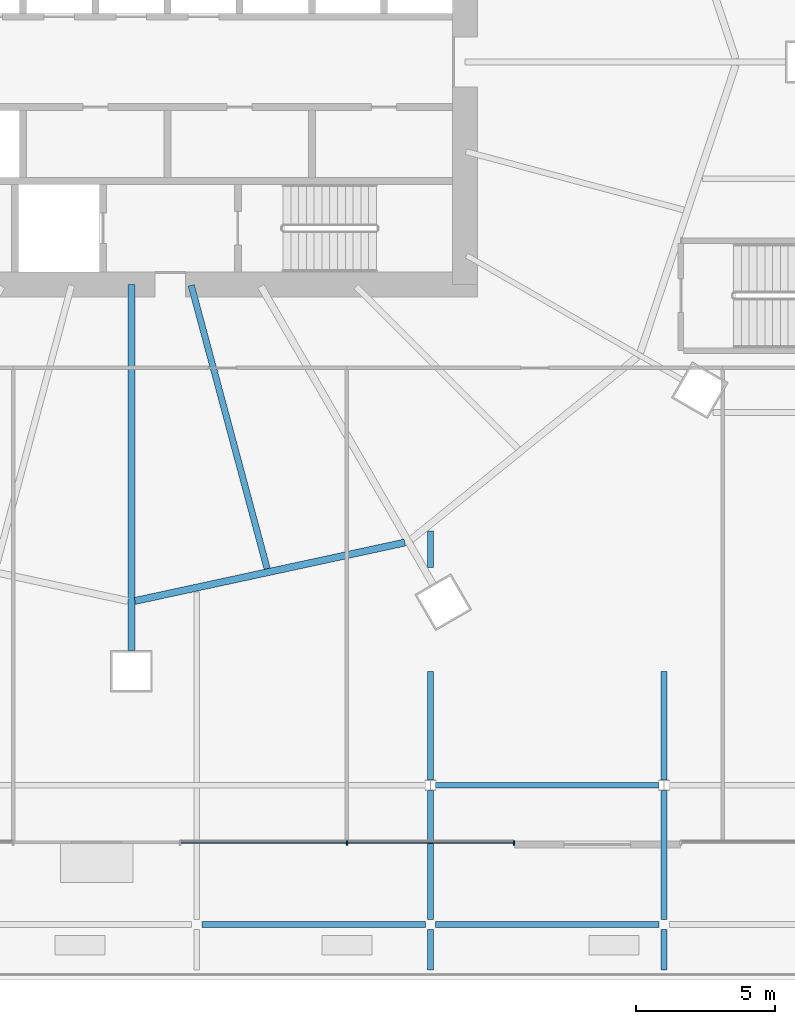
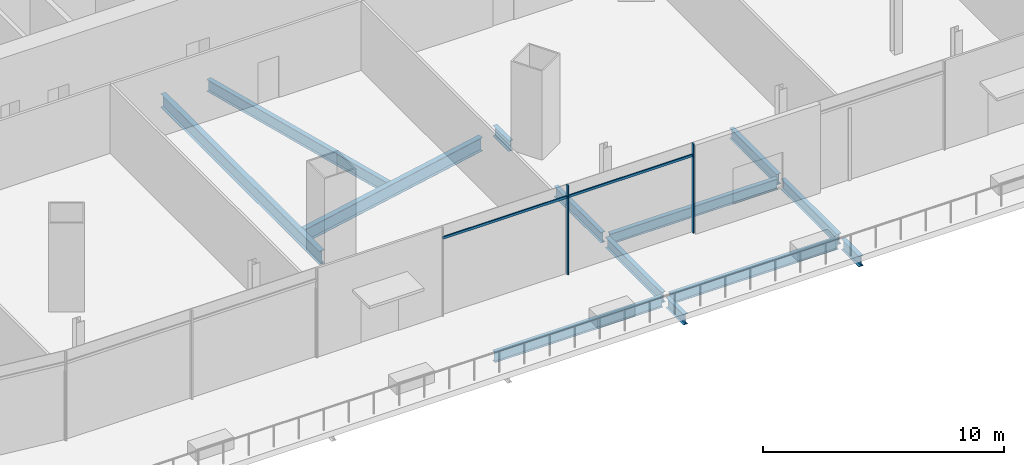
# One storey, part 12 of 52: 13 beams, 4 members, 1 element without a shape of its own.
"""IFC4 building model written with IfcOpenShell, lengths in metres."""

from ifc_helpers import new_model, si_unit, direction, frame, origin, origin_2d, place, context, subcontext, project, spatial, rectangle, i_section, extrude, material, material_profile, profile_set, type_object, element, aggregate, save


model = new_model("IFC4")

# Units and contexts
model_context = context("Model", 3, precision=1e-05, world=origin(), true_north=direction((0.0, 1.0)))
body_context = subcontext(model_context, "Body", "Model", "MODEL_VIEW")
ifc_project = project(units=[si_unit("LENGTHUNIT", "METRE"), si_unit("AREAUNIT", "SQUARE_METRE"), si_unit("VOLUMEUNIT", "CUBIC_METRE"), si_unit("PLANEANGLEUNIT", "RADIAN"), si_unit("MASSUNIT", "GRAM", prefix="KILO")], contexts=[model_context])

# Site, building, storey
site_placement = place(None, origin())
site = spatial("IfcSite", under=ifc_project, at=site_placement, CompositionType="ELEMENT")
building_placement = place(site_placement, origin())
building = spatial("IfcBuilding", under=site, at=building_placement, Name="Rimbun Link Towers", CompositionType="ELEMENT")
storey_placement = place(building_placement, frame((0.0, 0.0, 21.0)))
storey = spatial("IfcBuildingStorey", under=building, at=storey_placement, Name="L04", CompositionType="ELEMENT", Elevation=21.0)

# Curtain wall, members
ifc_material_1 = material(Name="Aluminium 6063-T6 and low-iron glass", Category="aluminium")
curtain_wall_type = type_object("IfcCurtainWallType", Name="CW3 podium shopfront", PredefinedType="NOTDEFINED", material=ifc_material_1)
curtain_wall_placement = place(storey_placement, origin())
curtain_wall = element("IfcCurtainWall", 1, at=curtain_wall_placement, inside=storey, type_object=curtain_wall_type, Name="CW3 L04 PD", PredefinedType="NOTDEFINED")
ifc_material_2 = material(Name="Aluminium 6063-T6", Category="aluminium")
ifc_material_profile_1 = material_profile(ifc_material_2, rectangle(XDim=0.14990234375, YDim=0.06005859375, at=origin_2d()), Name="MULLION 60X150")
ifc_profile_set_1 = profile_set([ifc_material_profile_1], Name="Aluminium 6063-T6")
member_type_1 = type_object("IfcMemberType", Name="CW3 mullion 60X150", PredefinedType="MULLION", material=ifc_profile_set_1)
member_1_placement = place(storey_placement, frame((-24.0, -28.074951171875, 0.0), z_axis=(0.0, 0.0, 1.0), x_axis=(0.0, -1.0, 0.0)))
member_1 = element("IfcMember", 2, at=member_1_placement, type_object=member_type_1, Name="CW3 mullion", PredefinedType="MULLION", context=body_context, shape_type="SweptSolid", body=[
    extrude(rectangle(XDim=0.14990234375, YDim=0.06005859375, at=origin_2d()), origin(), (0.0, 0.0, 1.0), 4.5),
])
member_2_placement = place(storey_placement, frame((-18.0, -28.074951171875, 0.0), z_axis=(0.0, 0.0, 1.0), x_axis=(0.0, -1.0, 0.0)))
member_2 = element("IfcMember", 3, at=member_2_placement, type_object=member_type_1, Name="CW3 mullion", PredefinedType="MULLION", context=body_context, shape_type="SweptSolid", body=[
    extrude(rectangle(XDim=0.14990234375, YDim=0.06005859375, at=origin_2d()), origin(), (0.0, 0.0, 1.0), 4.5),
])
ifc_material_3 = material(Name="Aluminium 6063-T6", Category="aluminium")
ifc_material_profile_2 = material_profile(ifc_material_3, rectangle(XDim=0.06005859375, YDim=0.1201171875, at=origin_2d()), Name="TRANSOM 60X120")
ifc_profile_set_2 = profile_set([ifc_material_profile_2], Name="Aluminium 6063-T6")
member_type_2 = type_object("IfcMemberType", Name="CW3 transom 60X120", PredefinedType="USERDEFINED", material=ifc_profile_set_2)
member_3_placement = place(storey_placement, frame((-24.030029296875, -28.053955078125, 3.89990234375), z_axis=(-1.0, 0.0, 0.0), x_axis=(0.0, -1.0, 0.0)))
member_3 = element("IfcMember", 4, at=member_3_placement, type_object=member_type_2, Name="CW3 transom", ObjectType="TRANSOM", PredefinedType="USERDEFINED", context=body_context, shape_type="SweptSolid", body=[
    extrude(rectangle(XDim=0.06005859375, YDim=0.1201171875, at=origin_2d()), origin(), (0.0, 0.0, 1.0), 5.93994140625),
])
member_4_placement = place(storey_placement, frame((-18.030029296875, -28.053955078125, 3.89990234375), z_axis=(-1.0, 0.0, 0.0), x_axis=(0.0, -1.0, 0.0)))
member_4 = element("IfcMember", 5, at=member_4_placement, type_object=member_type_2, Name="CW3 transom", ObjectType="TRANSOM", PredefinedType="USERDEFINED", context=body_context, shape_type="SweptSolid", body=[
    extrude(rectangle(XDim=0.06005859375, YDim=0.1201171875, at=origin_2d()), origin(), (0.0, 0.0, 1.0), 5.93994140625),
])
aggregate(curtain_wall, [member_1, member_2, member_3, member_4])

# Beams
ifc_material_4 = material(Name="Steel S355J2", Category="steel")
ifc_material_profile_3 = material_profile(ifc_material_4, i_section(OverallWidth=0.209228515625, OverallDepth=0.533203125, WebThickness=0.010009765625, FlangeThickness=0.015625, at=origin_2d()), Name="UB 533x210x92")
ifc_profile_set_3 = profile_set([ifc_material_profile_3], Name="Steel S355J2")
beam_type_1 = type_object("IfcBeamType", Name="UB 533x210x92", PredefinedType="BEAM", material=ifc_profile_set_3)
for number, where, z_axis, x_axis, name in (
    (6, (-29.214599609375, -31.0, -0.56640625), (1.0, 0.0, 0.0), (0.0, 1.0, 0.0), "Grid beam L04 -31.0"),
    (7, (-20.814697265625, -31.0, -0.56640625), (1.0, 0.0, 0.0), (0.0, 1.0, 0.0), "Grid beam L04 -31.0"),
    (8, (-20.814697265625, -26.0, -0.56640625), (1.0, 0.0, 0.0), (0.0, 1.0, 0.0), "Grid beam L04 -26.0"),
):
    element("IfcBeam", number, at=place(storey_placement, frame(where, z_axis=z_axis, x_axis=x_axis)), inside=storey, type_object=beam_type_1, Name=name, PredefinedType="BEAM", context=body_context, shape_type="SweptSolid", body=[
        extrude(i_section(OverallWidth=0.209228515625, OverallDepth=0.533203125, WebThickness=0.010009765625, FlangeThickness=0.015625, at=origin_2d()), origin(), (0.0, 0.0, 1.0), 8.029296875),
    ])
beam_1_placement = place(storey_placement, frame((-21.0, -32.649169921875, -0.56640625), z_axis=(0.0, 1.0, 0.0), x_axis=(-1.0, 0.0, 0.0)))
element("IfcBeam", 9, at=beam_1_placement, inside=storey, type_object=beam_type_1, Name="Grid beam L04 -21.0", PredefinedType="BEAM", context=body_context, shape_type="SweptSolid", body=[
    extrude(i_section(OverallWidth=0.209228515625, OverallDepth=0.533203125, WebThickness=0.010009765625, FlangeThickness=0.015625, at=origin_2d()), origin(), (0.0, 0.0, 1.0), 1.46826171875),
])
beam_2_placement = place(storey_placement, frame((-21.0, -30.819091796875, -0.56640625), z_axis=(0.0, 1.0, 0.0), x_axis=(-1.0, 0.0, 0.0)))
element("IfcBeam", 10, at=beam_2_placement, inside=storey, type_object=beam_type_1, Name="Grid beam L04 -21.0", PredefinedType="BEAM", context=body_context, shape_type="SweptSolid", body=[
    extrude(i_section(OverallWidth=0.209228515625, OverallDepth=0.533203125, WebThickness=0.010009765625, FlangeThickness=0.015625, at=origin_2d()), origin(), (0.0, 0.0, 1.0), 4.63818359375),
])
beam_3_placement = place(storey_placement, frame((-21.0, -25.819091796875, -0.56640625), z_axis=(0.0, 1.0, 0.0), x_axis=(-1.0, 0.0, 0.0)))
element("IfcBeam", 11, at=beam_3_placement, inside=storey, type_object=beam_type_1, Name="Grid beam L04 -21.0", PredefinedType="BEAM", context=body_context, shape_type="SweptSolid", body=[
    extrude(i_section(OverallWidth=0.209228515625, OverallDepth=0.533203125, WebThickness=0.010009765625, FlangeThickness=0.015625, at=origin_2d()), origin(), (0.0, 0.0, 1.0), 3.900146484375),
])
beam_4_placement = place(storey_placement, frame((-21.0, -18.18115234375, -0.56640625), z_axis=(0.0, 1.0, 0.0), x_axis=(-1.0, 0.0, 0.0)))
element("IfcBeam", 12, at=beam_4_placement, inside=storey, type_object=beam_type_1, Name="Grid beam L04 -21.0", PredefinedType="BEAM", context=body_context, shape_type="SweptSolid", body=[
    extrude(i_section(OverallWidth=0.209228515625, OverallDepth=0.533203125, WebThickness=0.010009765625, FlangeThickness=0.015625, at=origin_2d()), origin(), (0.0, 0.0, 1.0), 1.3232421875),
])
beam_5_placement = place(storey_placement, frame((-12.60009765625, -32.649169921875, -0.56640625), z_axis=(0.0, 1.0, 0.0), x_axis=(-1.0, 0.0, 0.0)))
element("IfcBeam", 13, at=beam_5_placement, inside=storey, type_object=beam_type_1, Name="Grid beam L04 -12.6", PredefinedType="BEAM", context=body_context, shape_type="SweptSolid", body=[
    extrude(i_section(OverallWidth=0.209228515625, OverallDepth=0.533203125, WebThickness=0.010009765625, FlangeThickness=0.015625, at=origin_2d()), origin(), (0.0, 0.0, 1.0), 1.46826171875),
])
beam_6_placement = place(storey_placement, frame((-12.60009765625, -30.819091796875, -0.56640625), z_axis=(0.0, 1.0, 0.0), x_axis=(-1.0, 0.0, 0.0)))
element("IfcBeam", 14, at=beam_6_placement, inside=storey, type_object=beam_type_1, Name="Grid beam L04 -12.6", PredefinedType="BEAM", context=body_context, shape_type="SweptSolid", body=[
    extrude(i_section(OverallWidth=0.209228515625, OverallDepth=0.533203125, WebThickness=0.010009765625, FlangeThickness=0.015625, at=origin_2d()), origin(), (0.0, 0.0, 1.0), 4.63818359375),
])
beam_7_placement = place(storey_placement, frame((-12.60009765625, -25.819091796875, -0.56640625), z_axis=(0.0, 1.0, 0.0), x_axis=(-1.0, 0.0, 0.0)))
element("IfcBeam", 15, at=beam_7_placement, inside=storey, type_object=beam_type_1, Name="Grid beam L04 -12.6", PredefinedType="BEAM", context=body_context, shape_type="SweptSolid", body=[
    extrude(i_section(OverallWidth=0.209228515625, OverallDepth=0.533203125, WebThickness=0.010009765625, FlangeThickness=0.015625, at=origin_2d()), origin(), (0.0, 0.0, 1.0), 3.900146484375),
])
ifc_material_5 = material(Name="Steel S355J2", Category="steel")
ifc_material_profile_4 = material_profile(ifc_material_5, i_section(OverallWidth=0.2275390625, OverallDepth=0.6025390625, WebThickness=0.010498046875, FlangeThickness=0.014892578125, at=origin_2d()), Name="UB 610x229x101")
ifc_profile_set_4 = profile_set([ifc_material_profile_4], Name="Steel S355J2")
beam_type_2 = type_object("IfcBeamType", Name="UB 610x229x101", PredefinedType="BEAM", material=ifc_profile_set_4)
beam_8_placement = place(storey_placement, frame((-29.598388671875, -8.030517578125, -0.601318359375), z_axis=(0.258844096103, -0.965919113545, 0.0), x_axis=(0.965919113545, 0.258844096103, 0.0)))
element("IfcBeam", 16, at=beam_8_placement, inside=storey, type_object=beam_type_2, Name="Radial beam T1 L04 19", PredefinedType="BEAM", context=body_context, shape_type="SweptSolid", body=[
    extrude(i_section(OverallWidth=0.2275390625, OverallDepth=0.6025390625, WebThickness=0.010498046875, FlangeThickness=0.014892578125, at=origin_2d()), origin(), (0.0, 0.0, 1.0), 10.544921875),
])
ifc_material_6 = material(Name="Steel S355J2", Category="steel")
ifc_material_profile_5 = material_profile(ifc_material_6, i_section(OverallWidth=0.253662109375, OverallDepth=0.68359375, WebThickness=0.012451171875, FlangeThickness=0.01904296875, at=origin_2d()), Name="UB 686x254x140")
ifc_profile_set_5 = profile_set([ifc_material_profile_5], Name="Steel S355J2")
beam_type_3 = type_object("IfcBeamType", Name="UB 686x254x140", PredefinedType="BEAM", material=ifc_profile_set_5)
beam_9_placement = place(storey_placement, frame((-31.75, -8.0009765625, -0.641845703125), z_axis=(0.0, -1.0, 0.0), x_axis=(1.0, 0.0, 0.0)))
element("IfcBeam", 17, at=beam_9_placement, inside=storey, type_object=beam_type_3, Name="Radial beam T1 L04 18", PredefinedType="BEAM", context=body_context, shape_type="SweptSolid", body=[
    extrude(i_section(OverallWidth=0.253662109375, OverallDepth=0.68359375, WebThickness=0.012451171875, FlangeThickness=0.01904296875, at=origin_2d()), origin(), (0.0, 0.0, 1.0), 13.1533203125),
])
beam_10_placement = place(storey_placement, frame((-31.622314453125, -19.375244140625, -0.641845703125), z_axis=(0.977390124833, 0.211443949734, 0.0), x_axis=(-0.211443949734, 0.977390124833, 0.0)))
element("IfcBeam", 18, at=beam_10_placement, inside=storey, type_object=beam_type_3, Name="Edge beam T1 L04 18-20", PredefinedType="BEAM", context=body_context, shape_type="SweptSolid", body=[
    extrude(i_section(OverallWidth=0.253662109375, OverallDepth=0.68359375, WebThickness=0.012451171875, FlangeThickness=0.01904296875, at=origin_2d()), origin(), (0.0, 0.0, 1.0), 9.924072265625),
])

save(model, "model.ifc")
